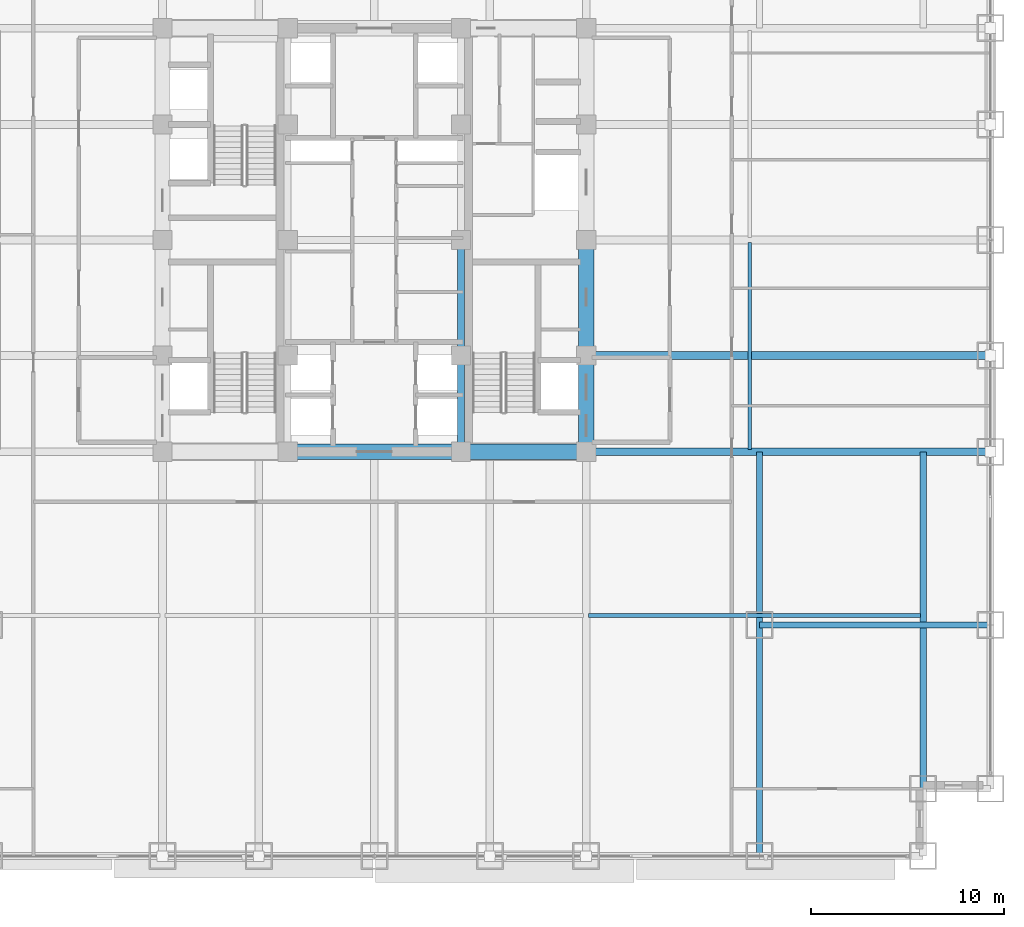
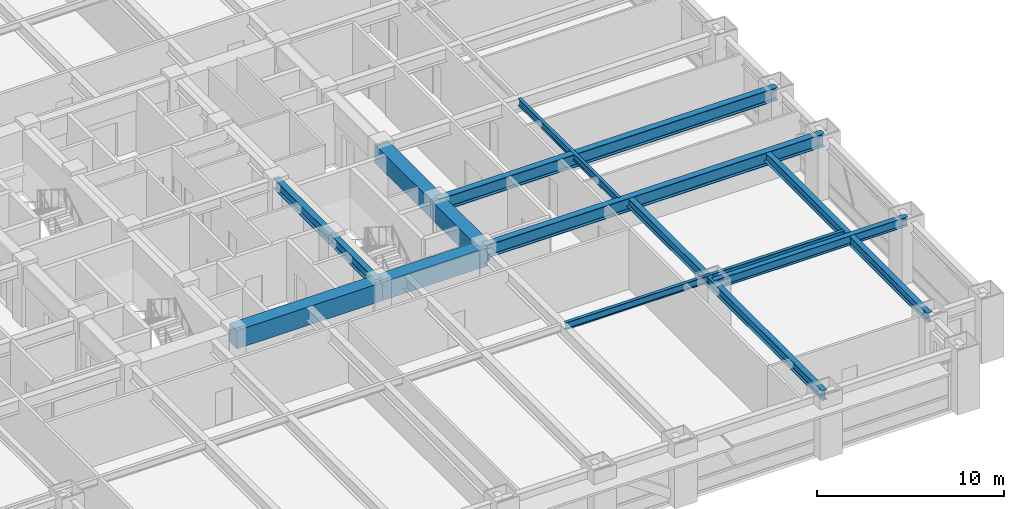
# One storey, part 7 of 32: 13 beams.
"""IFC4 building model written with IfcOpenShell, lengths in metres."""

from ifc_helpers import new_model, si_unit, direction, frame, origin, origin_2d, place, context, subcontext, project, spatial, rectangle, i_section, extrude, source, transform, mapped, material, material_profile, profile_set, type_object, element, save


model = new_model("IFC4")

# Units and contexts
model_context = context("Model", 3, precision=1e-05, world=origin(), true_north=direction((0.0, 1.0)))
body_context = subcontext(model_context, "Body", "Model", "MODEL_VIEW")
ifc_project = project(units=[si_unit("LENGTHUNIT", "METRE"), si_unit("AREAUNIT", "SQUARE_METRE"), si_unit("VOLUMEUNIT", "CUBIC_METRE"), si_unit("PLANEANGLEUNIT", "RADIAN"), si_unit("MASSUNIT", "GRAM", prefix="KILO")], contexts=[model_context])

# Site, building, storey
site_placement = place(None, origin())
site = spatial("IfcSite", under=ifc_project, at=site_placement, CompositionType="ELEMENT")
building_placement = place(site_placement, origin())
building = spatial("IfcBuilding", under=site, at=building_placement, Name="Khorayat Bourse Tower", CompositionType="ELEMENT")
storey_placement = place(building_placement, frame((0.0, 0.0, 78.800048828125)))
storey = spatial("IfcBuildingStorey", under=building, at=storey_placement, Name="L17", CompositionType="ELEMENT", Elevation=78.800048828125)

# Beams
ifc_material_1 = material(Name="Concrete C72/90", Category="concrete")
ifc_material_profile_1 = material_profile(ifc_material_1, rectangle(XDim=0.800048828125, YDim=1.199951171875, at=origin_2d()), Name="RC 800x1200")
ifc_profile_set_1 = profile_set([ifc_material_profile_1], Name="Concrete C72/90")
beam_type_1 = type_object("IfcBeamType", Name="BM-COUP-1200", PredefinedType="BEAM", material=ifc_profile_set_1)
shared_shape_1 = source(origin(), body_context, "Body", "SweptSolid", [
    extrude(rectangle(XDim=0.800048828125, YDim=1.199951171875, at=origin_2d()), origin(), (0.0, 0.0, 1.0), 5.0),
])
beam_1_placement = place(storey_placement, frame((11.0, -11.0, 3.33984375), z_axis=(0.0, 1.0, 0.0), x_axis=(-1.0, 0.0, 0.0)))
element("IfcBeam", 1, at=beam_1_placement, inside=storey, type_object=beam_type_1, Name="L17 BM-COUP-1200 BM-L17-CRX-13", PredefinedType="BEAM", context=body_context, shape_type="MappedRepresentation", body=[
    mapped(shared_shape_1, transform((0.0, 0.0, 0.0), scale=1.0)),
])
shared_shape_2 = source(origin(), body_context, "Body", "SweptSolid", [
    extrude(rectangle(XDim=0.800048828125, YDim=1.199951171875, at=origin_2d()), origin(), (0.0, 0.0, 1.0), 6.0),
])
beam_2_placement = place(storey_placement, frame((11.0, -6.0, 3.33984375), z_axis=(0.0, 1.0, 0.0), x_axis=(-1.0, 0.0, 0.0)))
element("IfcBeam", 2, at=beam_2_placement, inside=storey, type_object=beam_type_1, Name="L17 BM-COUP-1200 BM-L17-CRX-14", PredefinedType="BEAM", context=body_context, shape_type="MappedRepresentation", body=[
    mapped(shared_shape_2, transform((0.0, 0.0, 0.0), scale=1.0)),
])
ifc_material_2 = material(Name="Steel ASTM A992 Grade 50", Category="steel")
ifc_material_profile_2 = material_profile(ifc_material_2, i_section(OverallWidth=0.35498046875, OverallDepth=0.695068359375, WebThickness=0.015380859375, FlangeThickness=0.02490234375, FilletRadius=0.01806640625, at=origin_2d()), Name="W690X217")
ifc_profile_set_2 = profile_set([ifc_material_profile_2], Name="Steel ASTM A992 Grade 50")
beam_type_2 = type_object("IfcBeamType", Name="BM-GIRD-690", PredefinedType="BEAM", material=ifc_profile_set_2)
shared_shape_3 = source(origin(), body_context, "Body", "SweptSolid", [
    extrude(i_section(OverallWidth=0.35498046875, OverallDepth=0.695068359375, WebThickness=0.015380859375, FlangeThickness=0.02490234375, FilletRadius=0.01806640625, at=origin_2d()), origin(), (0.0, 0.0, 1.0), 5.0),
])
beam_3_placement = place(storey_placement, frame((4.5, -11.0, 3.592529296875), z_axis=(0.0, 1.0, 0.0), x_axis=(-1.0, 0.0, 0.0)))
element("IfcBeam", 3, at=beam_3_placement, inside=storey, type_object=beam_type_2, Name="L17 BM-GIRD-690 BM-L17-CRX-09", PredefinedType="BEAM", context=body_context, shape_type="MappedRepresentation", body=[
    mapped(shared_shape_3, transform((0.0, 0.0, 0.0), scale=1.0)),
])
shared_shape_4 = source(origin(), body_context, "Body", "SweptSolid", [
    extrude(i_section(OverallWidth=0.35498046875, OverallDepth=0.695068359375, WebThickness=0.015380859375, FlangeThickness=0.02490234375, FilletRadius=0.01806640625, at=origin_2d()), origin(), (0.0, 0.0, 1.0), 6.0),
])
beam_4_placement = place(storey_placement, frame((4.5, -6.0, 3.592529296875), z_axis=(0.0, 1.0, 0.0), x_axis=(-1.0, 0.0, 0.0)))
element("IfcBeam", 4, at=beam_4_placement, inside=storey, type_object=beam_type_2, Name="L17 BM-GIRD-690 BM-L17-CRX-10", PredefinedType="BEAM", context=body_context, shape_type="MappedRepresentation", body=[
    mapped(shared_shape_4, transform((0.0, 0.0, 0.0), scale=1.0)),
])
shared_shape_5 = source(origin(), body_context, "Body", "SweptSolid", [
    extrude(rectangle(XDim=0.800048828125, YDim=1.199951171875, at=origin_2d()), origin(), (0.0, 0.0, 1.0), 6.5),
])
beam_5_placement = place(storey_placement, frame((4.5, -11.0, 3.33984375), z_axis=(1.0, 0.0, 0.0), x_axis=(0.0, 1.0, 0.0)))
element("IfcBeam", 5, at=beam_5_placement, inside=storey, type_object=beam_type_1, Name="L17 BM-COUP-1200 BM-L17-CRY-19", PredefinedType="BEAM", context=body_context, shape_type="MappedRepresentation", body=[
    mapped(shared_shape_5, transform((0.0, 0.0, 0.0), scale=1.0)),
])
shared_shape_6 = source(origin(), body_context, "Body", "SweptSolid", [
    extrude(rectangle(XDim=0.800048828125, YDim=1.199951171875, at=origin_2d()), origin(), (0.0, 0.0, 1.0), 9.0),
])
beam_6_placement = place(storey_placement, frame((-4.5, -11.0, 3.33984375), z_axis=(1.0, 0.0, 0.0), x_axis=(0.0, 1.0, 0.0)))
element("IfcBeam", 6, at=beam_6_placement, inside=storey, type_object=beam_type_1, Name="L17 BM-COUP-1200 BM-L17-CRY-18", PredefinedType="BEAM", context=body_context, shape_type="MappedRepresentation", body=[
    mapped(shared_shape_6, transform((0.0, 0.0, 0.0), scale=1.0)),
])
ifc_material_profile_3 = material_profile(ifc_material_2, i_section(OverallWidth=0.39990234375, OverallDepth=0.85498046875, WebThickness=0.018310546875, FlangeThickness=0.029296875, FilletRadius=0.02001953125, at=origin_2d()), Name="W840X299")
ifc_profile_set_3 = profile_set([ifc_material_profile_3], Name="Steel ASTM A992 Grade 50")
beam_type_3 = type_object("IfcBeamType", Name="BM-GIRD-840", PredefinedType="BEAM", material=ifc_profile_set_3)
shared_shape_7 = source(origin(), body_context, "Body", "SweptSolid", [
    extrude(i_section(OverallWidth=0.39990234375, OverallDepth=0.85498046875, WebThickness=0.018310546875, FlangeThickness=0.029296875, FilletRadius=0.02001953125, at=origin_2d()), origin(), (0.0, 0.0, 1.0), 21.0),
])
for number, where, z_axis, x_axis, name in (
    (7, (11.0, -11.0, 3.512451171875), (1.0, 0.0, 0.0), (0.0, 1.0, 0.0), "L17 BM-GIRD-840 BM-L17-RADX-074"),
    (8, (11.0, -6.0, 3.512451171875), (1.0, 0.0, 0.0), (0.0, 1.0, 0.0), "L17 BM-GIRD-840 BM-L17-RADX-076"),
):
    element("IfcBeam", number, at=place(storey_placement, frame(where, z_axis=z_axis, x_axis=x_axis)), inside=storey, type_object=beam_type_3, Name=name, PredefinedType="BEAM", context=body_context, shape_type="MappedRepresentation", body=[
        mapped(shared_shape_7, transform((0.0, 0.0, 0.0), scale=1.0)),
    ])
ifc_material_profile_4 = material_profile(ifc_material_2, i_section(OverallWidth=0.324951171875, OverallDepth=0.615966796875, WebThickness=0.013916015625, FlangeThickness=0.021484375, FilletRadius=0.01611328125, at=origin_2d()), Name="W610X174")
ifc_profile_set_4 = profile_set([ifc_material_profile_4], Name="Steel ASTM A992 Grade 50")
beam_type_4 = type_object("IfcBeamType", Name="BM-GIRD-610", PredefinedType="BEAM", material=ifc_profile_set_4)
shared_shape_8 = source(origin(), body_context, "Body", "SweptSolid", [
    extrude(i_section(OverallWidth=0.324951171875, OverallDepth=0.615966796875, WebThickness=0.013916015625, FlangeThickness=0.021484375, FilletRadius=0.01611328125, at=origin_2d()), origin(), (0.0, 0.0, 1.0), 21.0),
])
beam_7_placement = place(storey_placement, frame((20.0, -32.0, 3.6318359375), z_axis=(0.0, 1.0, 0.0), x_axis=(-1.0, 0.0, 0.0)))
element("IfcBeam", 9, at=beam_7_placement, inside=storey, type_object=beam_type_4, Name="L17 BM-GIRD-610 BM-L17-CNRY-086", PredefinedType="BEAM", context=body_context, shape_type="MappedRepresentation", body=[
    mapped(shared_shape_8, transform((0.0, 0.0, 0.0), scale=1.0)),
])
shared_shape_9 = source(origin(), body_context, "Body", "SweptSolid", [
    extrude(i_section(OverallWidth=0.324951171875, OverallDepth=0.615966796875, WebThickness=0.013916015625, FlangeThickness=0.021484375, FilletRadius=0.01611328125, at=origin_2d()), origin(), (0.0, 0.0, 1.0), 17.5),
])
beam_8_placement = place(storey_placement, frame((28.5, -28.5, 3.6318359375), z_axis=(0.0, 1.0, 0.0), x_axis=(-1.0, 0.0, 0.0)))
element("IfcBeam", 10, at=beam_8_placement, inside=storey, type_object=beam_type_4, Name="L17 BM-GIRD-610 BM-L17-CNRY-090", PredefinedType="BEAM", context=body_context, shape_type="MappedRepresentation", body=[
    mapped(shared_shape_9, transform((0.0, 0.0, 0.0), scale=1.0)),
])
shared_shape_10 = source(origin(), body_context, "Body", "SweptSolid", [
    extrude(i_section(OverallWidth=0.324951171875, OverallDepth=0.615966796875, WebThickness=0.013916015625, FlangeThickness=0.021484375, FilletRadius=0.01611328125, at=origin_2d()), origin(), (0.0, 0.0, 1.0), 12.0),
])
beam_9_placement = place(storey_placement, frame((20.0, -20.0, 3.6318359375), z_axis=(1.0, 0.0, 0.0), x_axis=(0.0, 1.0, 0.0)))
element("IfcBeam", 11, at=beam_9_placement, inside=storey, type_object=beam_type_4, Name="L17 BM-GIRD-610 BM-L17-CNRX-092", PredefinedType="BEAM", context=body_context, shape_type="MappedRepresentation", body=[
    mapped(shared_shape_10, transform((0.0, 0.0, 0.0), scale=1.0)),
])
ifc_material_profile_5 = material_profile(ifc_material_2, i_section(OverallWidth=0.194091796875, OverallDepth=0.468994140625, WebThickness=0.0126953125, FlangeThickness=0.0205078125, FilletRadius=0.012939453125, at=origin_2d()), Name="W460X106")
ifc_profile_set_5 = profile_set([ifc_material_profile_5], Name="Steel ASTM A992 Grade 50")
beam_type_5 = type_object("IfcBeamType", Name="BM-JOIST-460", PredefinedType="JOIST", material=ifc_profile_set_5)
shared_shape_11 = source(origin(), body_context, "Body", "SweptSolid", [
    extrude(i_section(OverallWidth=0.194091796875, OverallDepth=0.468994140625, WebThickness=0.0126953125, FlangeThickness=0.0205078125, FilletRadius=0.012939453125, at=origin_2d()), origin(), (0.0, 0.0, 1.0), 17.240234375),
])
beam_10_placement = place(storey_placement, frame((11.1298828125, -19.5, 3.70556640625), z_axis=(1.0, 0.0, 0.0), x_axis=(0.0, 1.0, 0.0)))
element("IfcBeam", 12, at=beam_10_placement, inside=storey, type_object=beam_type_5, Name="L17 BM-JOIST-460 BM-L17-JSTX-098", PredefinedType="JOIST", context=body_context, shape_type="MappedRepresentation", body=[
    mapped(shared_shape_11, transform((0.0, 0.0, 0.0), scale=1.0)),
])
shared_shape_12 = source(origin(), body_context, "Body", "SweptSolid", [
    extrude(i_section(OverallWidth=0.194091796875, OverallDepth=0.468994140625, WebThickness=0.0126953125, FlangeThickness=0.0205078125, FilletRadius=0.012939453125, at=origin_2d()), origin(), (0.0, 0.0, 1.0), 10.740234375),
])
beam_11_placement = place(storey_placement, frame((19.5, -10.8701171875, 3.70556640625), z_axis=(0.0, 1.0, 0.0), x_axis=(-1.0, 0.0, 0.0)))
element("IfcBeam", 13, at=beam_11_placement, inside=storey, type_object=beam_type_5, Name="L17 BM-JOIST-460 BM-L17-JSTY-104", PredefinedType="JOIST", context=body_context, shape_type="MappedRepresentation", body=[
    mapped(shared_shape_12, transform((0.0, 0.0, 0.0), scale=1.0)),
])

save(model, "model.ifc")
